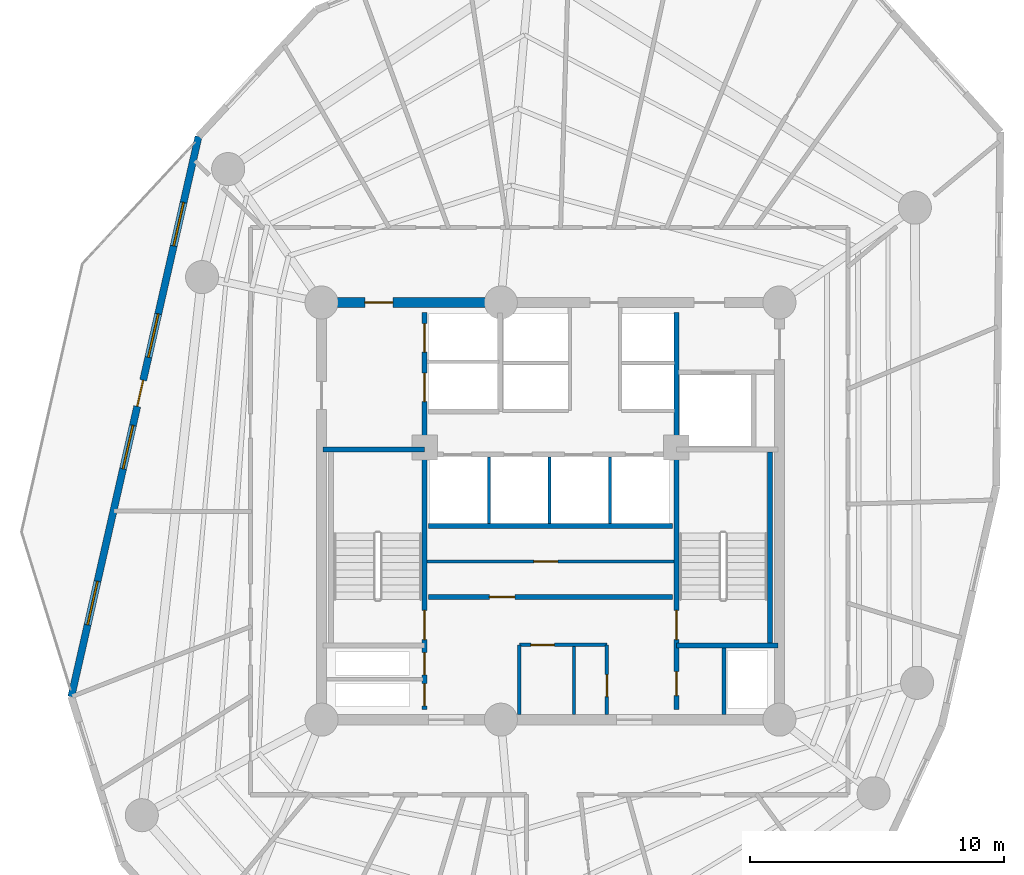
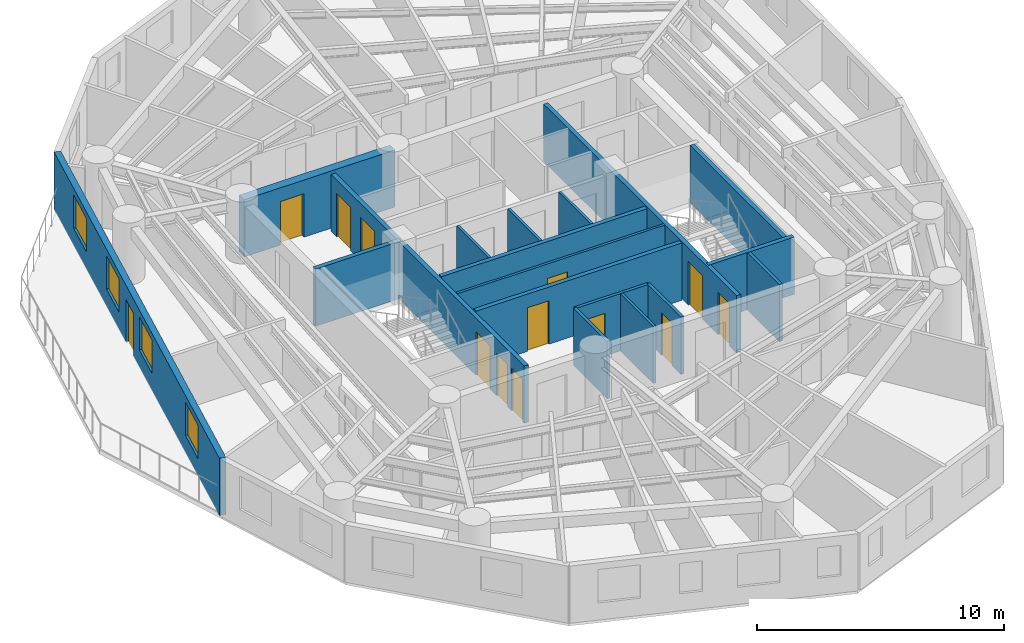
# One storey, part 4 of 9: 18 walls, 13 doors, 4 windows, 17 openings.
"""IFC4 building model written with IfcOpenShell, lengths in metres."""

from ifc_helpers import new_model, si_unit, direction, frame, frame_2d, origin, origin_with_axes, place, context, subcontext, project, spatial, rectangle, extrude, source, transform, mapped, material, layer, layer_set, type_object, element, fill, save


model = new_model("IFC4")

# Units and contexts
model_context = context("Model", 3, precision=1e-05, world=origin(), true_north=direction((0.0, 1.0)))
body_context = subcontext(model_context, "Body", "Model", "MODEL_VIEW")
ifc_project = project(units=[si_unit("LENGTHUNIT", "METRE"), si_unit("AREAUNIT", "SQUARE_METRE"), si_unit("VOLUMEUNIT", "CUBIC_METRE"), si_unit("PLANEANGLEUNIT", "RADIAN"), si_unit("MASSUNIT", "GRAM", prefix="KILO")], contexts=[model_context])

# Site, building, storey
site_placement = place(None, origin())
site = spatial("IfcSite", under=ifc_project, at=site_placement, CompositionType="ELEMENT")
building_placement = place(site_placement, origin())
building = spatial("IfcBuilding", under=site, at=building_placement, Name="Karkom Vertical University and Central Library", CompositionType="ELEMENT")
storey_placement = place(building_placement, frame((0.0, 0.0, 156.550048828125)))
storey = spatial("IfcBuildingStorey", under=building, at=storey_placement, Name="L44", CompositionType="ELEMENT", Elevation=156.550048828125)

# Wall, openings, door, windows
ifc_material_1 = material(Name="Brick-faced precast concrete C45/55", Category="masonry")
ifc_layer_1 = layer(ifc_material_1, 0.280029296875)
ifc_layer_set_1 = layer_set([ifc_layer_1], Name="Brick-faced precast concrete C45/55")
wall_type_1 = type_object("IfcWallType", Name="ENV-WL-BRK-280", PredefinedType="SOLIDWALL", material=ifc_layer_set_1)
wall_1_placement = place(storey_placement, frame((14.666015625, 41.223388671875, 0.0), z_axis=(0.0, 0.0, 1.0), x_axis=(-0.221558962352, -0.975146976718, 0.0)))
wall_1 = element("IfcWall", 1, at=wall_1_placement, inside=storey, type_object=wall_type_1, Name="Level 44 Brick-Faced Precast Facade Wall 12", PredefinedType="SOLIDWALL", context=body_context, shape_type="SweptSolid", body=[
    extrude(rectangle(XDim=22.5849609375, YDim=0.280029296875, at=frame_2d((11.29248046875, 0.0))), origin(), (0.0, 0.0, 1.0), 2.824951171875),
])
opening_1_placement = place(wall_1_placement, frame((2.656005859375, 0.0, 0.85009765625)))
opening_1 = element("IfcOpeningElement", 2, at=opening_1_placement, cuts=wall_1, Name="Opening WN-08", PredefinedType="OPENING", context=body_context, shape_type="SweptSolid", body=[
    extrude(rectangle(XDim=1.75, YDim=1.64990234375, at=frame_2d((0.875, 0.824951171875))), frame((0.0, 0.14990234375, 0.0), z_axis=(0.0, -1.0, 0.0), x_axis=(1.0, 0.0, 0.0)), (0.0, 0.0, 1.0), 0.300048828125),
])
opening_2_placement = place(wall_1_placement, frame((7.149658203125, 0.0, 0.85009765625)))
opening_2 = element("IfcOpeningElement", 3, at=opening_2_placement, cuts=wall_1, Name="Opening WN-08", PredefinedType="OPENING", context=body_context, shape_type="SweptSolid", body=[
    extrude(rectangle(XDim=1.75, YDim=1.64990234375, at=frame_2d((0.875, 0.824951171875))), frame((0.0, 0.14990234375, 0.0), z_axis=(0.0, -1.0, 0.0), x_axis=(1.0, 0.0, 0.0)), (0.0, 0.0, 1.0), 0.300048828125),
])
opening_3_placement = place(wall_1_placement, frame((11.643310546875, 0.0, 0.85009765625)))
opening_3 = element("IfcOpeningElement", 4, at=opening_3_placement, cuts=wall_1, Name="Opening WN-08", PredefinedType="OPENING", context=body_context, shape_type="SweptSolid", body=[
    extrude(rectangle(XDim=1.75, YDim=1.64990234375, at=frame_2d((0.875, 0.824951171875))), frame((0.0, 0.14990234375, 0.0), z_axis=(0.0, -1.0, 0.0), x_axis=(1.0, 0.0, 0.0)), (0.0, 0.0, 1.0), 0.300048828125),
])
opening_4_placement = place(wall_1_placement, frame((17.929931640625, 0.0, 0.85009765625)))
opening_4 = element("IfcOpeningElement", 5, at=opening_4_placement, cuts=wall_1, Name="Opening WN-08", PredefinedType="OPENING", context=body_context, shape_type="SweptSolid", body=[
    extrude(rectangle(XDim=1.75, YDim=1.64990234375, at=frame_2d((0.875, 0.824951171875))), frame((0.0, 0.14990234375, 0.0), z_axis=(0.0, -1.0, 0.0), x_axis=(1.0, 0.0, 0.0)), (0.0, 0.0, 1.0), 0.300048828125),
])
opening_5_placement = place(wall_1_placement, frame((9.826416015625, 0.0, 0.0)))
opening_5 = element("IfcOpeningElement", 6, at=opening_5_placement, cuts=wall_1, Name="Opening TD-1", PredefinedType="OPENING", context=body_context, shape_type="SweptSolid", body=[
    extrude(rectangle(XDim=1.050048828125, YDim=2.1201171875, at=frame_2d((0.52490234375, 1.06005859375))), frame((0.0, 0.14990234375, 0.0), z_axis=(0.0, -1.0, 0.0), x_axis=(1.0, 0.0, 0.0)), (0.0, 0.0, 1.0), 0.300048828125),
])
ifc_material_2 = material(Name="Thermally broken glazed aluminium terrace door", Category="aluminium")
door_type_1 = type_object("IfcDoorType", Name="ENV-DR-TERR", OperationType="NOTDEFINED", PredefinedType="DOOR", material=ifc_material_2)
shared_shape_1 = source(origin_with_axes(), body_context, "Body", "SweptSolid", [
    extrude(rectangle(XDim=1.050048828125, YDim=2.1201171875, at=frame_2d((0.52490234375, 1.06005859375))), frame((0.0, 0.02490234375, 0.0), z_axis=(0.0, -1.0, 0.0), x_axis=(1.0, 0.0, 0.0)), (0.0, 0.0, 1.0), 0.050048828125),
])
door_1_placement = place(opening_5_placement, origin())
door_1 = element("IfcDoor", 7, at=door_1_placement, inside=storey, type_object=door_type_1, Name="Level 44 Outdoor Terrace Access Door", OperationType="SINGLE_SWING_RIGHT", OverallHeight=2.1201171875, OverallWidth=1.050048828125, PredefinedType="DOOR", context=body_context, shape_type="MappedRepresentation", body=[
    mapped(shared_shape_1, transform((0.0, 0.0, 0.0), scale=1.0)),
])
fill(opening_5, door_1)
ifc_material_3 = material(Name="Aluminium thermal-break frame with solar-control IGU", Category="aluminium")
window_type = type_object("IfcWindowType", Name="ENV-WIN-WN-08", PartitioningType="SINGLE_PANEL", PredefinedType="WINDOW", material=ifc_material_3)
shared_shape_2 = source(origin_with_axes(), body_context, "Body", "SweptSolid", [
    extrude(rectangle(XDim=1.75, YDim=1.64990234375, at=frame_2d((0.875, 0.824951171875))), frame((0.0, 0.030029296875, 0.0), z_axis=(0.0, -1.0, 0.0), x_axis=(1.0, 0.0, 0.0)), (0.0, 0.0, 1.0), 0.06005859375),
])
window_1_placement = place(opening_1_placement, origin())
window_1 = element("IfcWindow", 8, at=window_1_placement, inside=storey, type_object=window_type, Name="Level 44 Punched Window 12.1", OverallHeight=1.64990234375, OverallWidth=1.75, PartitioningType="SINGLE_PANEL", PredefinedType="WINDOW", context=body_context, shape_type="MappedRepresentation", body=[
    mapped(shared_shape_2, transform((0.0, 0.0, 0.0), scale=1.0)),
])
fill(opening_1, window_1)
window_2_placement = place(opening_2_placement, origin())
window_2 = element("IfcWindow", 9, at=window_2_placement, inside=storey, type_object=window_type, Name="Level 44 Punched Window 12.2", OverallHeight=1.64990234375, OverallWidth=1.75, PartitioningType="SINGLE_PANEL", PredefinedType="WINDOW", context=body_context, shape_type="MappedRepresentation", body=[
    mapped(shared_shape_2, transform((0.0, 0.0, 0.0), scale=1.0)),
])
fill(opening_2, window_2)
window_3_placement = place(opening_3_placement, origin())
window_3 = element("IfcWindow", 10, at=window_3_placement, inside=storey, type_object=window_type, Name="Level 44 Punched Window 12.3", OverallHeight=1.64990234375, OverallWidth=1.75, PartitioningType="SINGLE_PANEL", PredefinedType="WINDOW", context=body_context, shape_type="MappedRepresentation", body=[
    mapped(shared_shape_2, transform((0.0, 0.0, 0.0), scale=1.0)),
])
fill(opening_3, window_3)
window_4_placement = place(opening_4_placement, origin())
window_4 = element("IfcWindow", 11, at=window_4_placement, inside=storey, type_object=window_type, Name="Level 44 Punched Window 12.4", OverallHeight=1.64990234375, OverallWidth=1.75, PartitioningType="SINGLE_PANEL", PredefinedType="WINDOW", context=body_context, shape_type="MappedRepresentation", body=[
    mapped(shared_shape_2, transform((0.0, 0.0, 0.0), scale=1.0)),
])
fill(opening_4, window_4)

# Wall
ifc_material_4 = material(Name="Moisture-resistant drywall 120mm", Category="gypsum")
ifc_layer_2 = layer(ifc_material_4, 0.1201171875)
ifc_layer_set_2 = layer_set([ifc_layer_2], Name="Moisture-resistant drywall 120mm")
wall_type_2 = type_object("IfcWallType", Name="INT-WL-INT-120", PredefinedType="PARTITIONING", material=ifc_layer_set_2)
wall_2_placement = place(storey_placement, frame((29.419921875, 18.507080078125, 0.0), z_axis=(0.0, 0.0, 1.0), x_axis=(0.0, 1.0, 0.0)))
element("IfcWall", 12, at=wall_2_placement, inside=storey, type_object=wall_type_2, Name="Level 44 Interior Partition Wall L44-CW-K3-DIV", PredefinedType="PARTITIONING", context=body_context, shape_type="SweptSolid", body=[
    extrude(rectangle(XDim=2.66162109375, YDim=0.1201171875, at=frame_2d((1.330810546875, 0.0))), origin(), (0.0, 0.0, 1.0), 2.824951171875),
])

# Wall, opening, door
ifc_layer_3 = layer(ifc_material_4, 0.1201171875)
ifc_layer_set_3 = layer_set([ifc_layer_3], Name="Moisture-resistant drywall 120mm")
wall_type_3 = type_object("IfcWallType", Name="INT-WL-INT-120F", PredefinedType="PARTITIONING", material=ifc_layer_set_3)
wall_3_placement = place(storey_placement, frame((23.652099609375, 24.52001953125, 0.0), z_axis=(0.0, 0.0, 1.0), x_axis=(1.0, 0.0, 0.0)))
wall_3 = element("IfcWall", 13, at=wall_3_placement, inside=storey, type_object=wall_type_3, Name="Level 44 Interior Partition Wall L44-CW-B1-K3H", PredefinedType="PARTITIONING", context=body_context, shape_type="SweptSolid", body=[
    extrude(rectangle(XDim=9.697509765625, YDim=0.1201171875, at=frame_2d((4.8486328125, 0.0))), origin(), (0.0, 0.0, 1.0), 2.824951171875),
])
opening_6_placement = place(wall_3_placement, frame((4.199951171875, 0.0, 0.0)))
opening_6 = element("IfcOpeningElement", 14, at=opening_6_placement, cuts=wall_3, Name="Opening D-WC1", PredefinedType="OPENING", context=body_context, shape_type="SweptSolid", body=[
    extrude(rectangle(XDim=0.93994140625, YDim=2.10009765625, at=frame_2d((0.469970703125, 1.050048828125))), frame((0.0, 0.070068359375, 0.0), z_axis=(0.0, -1.0, 0.0), x_axis=(1.0, 0.0, 0.0)), (0.0, 0.0, 1.0), 0.14013671875),
])
ifc_material_5 = material(Name="Fire-rated laminate moisture-resistant door", Category="wood")
door_type_2 = type_object("IfcDoorType", Name="INT-DR-WC1", OperationType="NOTDEFINED", PredefinedType="DOOR", material=ifc_material_5)
shared_shape_3 = source(origin_with_axes(), body_context, "Body", "SweptSolid", [
    extrude(rectangle(XDim=0.93994140625, YDim=2.10009765625, at=frame_2d((0.469970703125, 1.050048828125))), frame((0.0, 0.02490234375, 0.0), z_axis=(0.0, -1.0, 0.0), x_axis=(1.0, 0.0, 0.0)), (0.0, 0.0, 1.0), 0.050048828125),
])
door_2_placement = place(opening_6_placement, origin())
door_2 = element("IfcDoor", 15, at=door_2_placement, inside=storey, type_object=door_type_2, Name="Level 44 B1 Core WC Strip Door", OperationType="SINGLE_SWING_LEFT", OverallHeight=2.10009765625, OverallWidth=0.93994140625, PredefinedType="DOOR", context=body_context, shape_type="MappedRepresentation", body=[
    mapped(shared_shape_3, transform((0.0, 0.0, 0.0), scale=1.0)),
])
fill(opening_6, door_2)

# Walls
ifc_layer_4 = layer(ifc_material_4, 0.1201171875)
ifc_layer_set_4 = layer_set([ifc_layer_4], Name="Moisture-resistant drywall 120mm")
wall_type_4 = type_object("IfcWallType", Name="INT-WL-INT-120H", PredefinedType="PARTITIONING", material=ifc_layer_set_4)
for number, where, z_axis, x_axis, name in (
    (16, (26.080078125, 26.02001953125, 0.0), (0.0, 0.0, 1.0), (0.0, 1.0, 0.0), "Level 44 Interior Partition Wall L44-CW-PM-DIV1"),
    (17, (28.4599609375, 26.02001953125, 0.0), (0.0, 0.0, 1.0), (0.0, 1.0, 0.0), "Level 44 Interior Partition Wall L44-CW-PM-DIV2"),
    (18, (30.840087890625, 26.02001953125, 0.0), (0.0, 0.0, 1.0), (0.0, 1.0, 0.0), "Level 44 Interior Partition Wall L44-CW-PM-DIV3"),
):
    element("IfcWall", number, at=place(storey_placement, frame(where, z_axis=z_axis, x_axis=x_axis)), inside=storey, type_object=wall_type_4, Name=name, PredefinedType="PARTITIONING", context=body_context, shape_type="SweptSolid", body=[
        extrude(rectangle(XDim=2.60009765625, YDim=0.1201171875, at=frame_2d((1.300048828125, 0.0))), origin(), (0.0, 0.0, 1.0), 2.824951171875),
    ])

# Wall, opening, door
ifc_material_6 = material(Name="Metal-stud gypsum partition 140mm", Category="gypsum")
ifc_layer_5 = layer(ifc_material_6, 0.139892578125)
ifc_layer_set_5 = layer_set([ifc_layer_5], Name="Metal-stud gypsum partition 140mm")
wall_type_5 = type_object("IfcWallType", Name="INT-WL-SUB-140", PredefinedType="PARTITIONING", material=ifc_layer_set_5)
wall_4_placement = place(storey_placement, frame((27.280029296875, 21.239990234375, 0.0), z_axis=(0.0, 0.0, 1.0), x_axis=(1.0, 0.0, 0.0)))
wall_4 = element("IfcWall", 19, at=wall_4_placement, inside=storey, type_object=wall_type_5, Name="Level 44 Interior Partition Wall L44-CW-KBAY-N", PredefinedType="PARTITIONING", context=body_context, shape_type="SweptSolid", body=[
    extrude(rectangle(XDim=3.43994140625, YDim=0.139892578125, at=frame_2d((1.719970703125, 0.0))), origin(), (0.0, 0.0, 1.0), 2.824951171875),
])
opening_7_placement = place(wall_4_placement, frame((0.449951171875, 0.0, 0.0)))
opening_7 = element("IfcOpeningElement", 20, at=opening_7_placement, cuts=wall_4, Name="Opening D-SVC1", PredefinedType="OPENING", context=body_context, shape_type="SweptSolid", body=[
    extrude(rectangle(XDim=0.919921875, YDim=2.10009765625, at=frame_2d((0.4599609375, 1.050048828125))), frame((0.0, 0.080078125, 0.0), z_axis=(0.0, -1.0, 0.0), x_axis=(1.0, 0.0, 0.0)), (0.0, 0.0, 1.0), 0.159912109375),
])
ifc_material_7 = material(Name="Painted timber service door", Category="wood")
door_type_3 = type_object("IfcDoorType", Name="INT-DR-SVC1", OperationType="NOTDEFINED", PredefinedType="DOOR", material=ifc_material_7)
shared_shape_4 = source(origin_with_axes(), body_context, "Body", "SweptSolid", [
    extrude(rectangle(XDim=0.919921875, YDim=2.10009765625, at=frame_2d((0.4599609375, 1.050048828125))), frame((0.0, 0.02490234375, 0.0), z_axis=(0.0, -1.0, 0.0), x_axis=(1.0, 0.0, 0.0)), (0.0, 0.0, 1.0), 0.050048828125),
])
door_3_placement = place(opening_7_placement, origin())
door_3 = element("IfcDoor", 21, at=door_3_placement, inside=storey, type_object=door_type_3, Name="Level 44 Copy Room Door", OperationType="SINGLE_SWING_RIGHT", OverallHeight=2.10009765625, OverallWidth=0.919921875, PredefinedType="DOOR", context=body_context, shape_type="MappedRepresentation", body=[
    mapped(shared_shape_4, transform((0.0, 0.0, 0.0), scale=1.0)),
])
fill(opening_7, door_3)

# Wall
wall_5_placement = place(storey_placement, frame((27.280029296875, 18.507080078125, 0.0), z_axis=(0.0, 0.0, 1.0), x_axis=(0.0, 1.0, 0.0)))
element("IfcWall", 22, at=wall_5_placement, inside=storey, type_object=wall_type_5, Name="Level 44 Interior Partition Wall L44-CW-KBAY-W", PredefinedType="PARTITIONING", context=body_context, shape_type="SweptSolid", body=[
    extrude(rectangle(XDim=2.73291015625, YDim=0.139892578125, at=frame_2d((1.366455078125, 0.0))), origin(), (0.0, 0.0, 1.0), 2.824951171875),
])

# Wall, opening, door
wall_6_placement = place(storey_placement, frame((30.719970703125, 18.507080078125, 0.0), z_axis=(0.0, 0.0, 1.0), x_axis=(0.0, 1.0, 0.0)))
wall_6 = element("IfcWall", 23, at=wall_6_placement, inside=storey, type_object=wall_type_5, Name="Level 44 Interior Partition Wall L44-CW-KBAY-E", PredefinedType="PARTITIONING", context=body_context, shape_type="SweptSolid", body=[
    extrude(rectangle(XDim=2.73291015625, YDim=0.139892578125, at=frame_2d((1.366455078125, 0.0))), origin(), (0.0, 0.0, 1.0), 2.824951171875),
])
opening_8_placement = place(wall_6_placement, frame((0.699951171875, 0.0, 0.0)))
opening_8 = element("IfcOpeningElement", 24, at=opening_8_placement, cuts=wall_6, Name="Opening D-BATH", PredefinedType="OPENING", context=body_context, shape_type="SweptSolid", body=[
    extrude(rectangle(XDim=0.860107421875, YDim=2.10009765625, at=frame_2d((0.43017578125, 1.050048828125))), frame((0.0, 0.080078125, 0.0), z_axis=(0.0, -1.0, 0.0), x_axis=(1.0, 0.0, 0.0)), (0.0, 0.0, 1.0), 0.159912109375),
])
ifc_material_8 = material(Name="Moisture-resistant oak door", Category="wood")
door_type_4 = type_object("IfcDoorType", Name="INT-DR-BATH", OperationType="NOTDEFINED", PredefinedType="DOOR", material=ifc_material_8)
shared_shape_5 = source(origin_with_axes(), body_context, "Body", "SweptSolid", [
    extrude(rectangle(XDim=0.860107421875, YDim=2.10009765625, at=frame_2d((0.43017578125, 1.050048828125))), frame((0.0, 0.02490234375, 0.0), z_axis=(0.0, -1.0, 0.0), x_axis=(1.0, 0.0, 0.0)), (0.0, 0.0, 1.0), 0.050048828125),
])
door_4_placement = place(opening_8_placement, origin())
door_4 = element("IfcDoor", 25, at=door_4_placement, inside=storey, type_object=door_type_4, Name="Level 44 Janitor Door", OperationType="SINGLE_SWING_LEFT", OverallHeight=2.10009765625, OverallWidth=0.860107421875, PredefinedType="DOOR", context=body_context, shape_type="MappedRepresentation", body=[
    mapped(shared_shape_5, transform((0.0, 0.0, 0.0), scale=1.0)),
])
fill(opening_8, door_4)

# Wall
ifc_layer_6 = layer(ifc_material_6, 0.139892578125)
ifc_layer_set_6 = layer_set([ifc_layer_6], Name="Metal-stud gypsum partition 140mm")
wall_type_6 = type_object("IfcWallType", Name="INT-WL-SUB-140H", PredefinedType="PARTITIONING", material=ifc_layer_set_6)
wall_7_placement = place(storey_placement, frame((35.320068359375, 18.507080078125, 0.0), z_axis=(0.0, 0.0, 1.0), x_axis=(0.0, 1.0, 0.0)))
element("IfcWall", 26, at=wall_7_placement, inside=storey, type_object=wall_type_6, Name="Level 44 Interior Partition Wall L44-CW-RIS-E", PredefinedType="PARTITIONING", context=body_context, shape_type="SweptSolid", body=[
    extrude(rectangle(XDim=2.603759765625, YDim=0.139892578125, at=frame_2d((1.3017578125, 0.0))), origin(), (0.0, 0.0, 1.0), 2.824951171875),
])

# Wall, opening, door
ifc_material_9 = material(Name="Concrete C50/60", Category="concrete")
ifc_layer_7 = layer(ifc_material_9, 0.39990234375)
ifc_layer_set_7 = layer_set([ifc_layer_7], Name="Concrete C50/60")
wall_type_7 = type_object("IfcWallType", Name="STR-WL-CW-400", PredefinedType="SHEAR", material=ifc_layer_set_7)
wall_8_placement = place(storey_placement, frame((26.550048828125, 34.699951171875, 0.0), z_axis=(0.0, 0.0, 1.0), x_axis=(-1.0, 0.0, 0.0)))
wall_8 = element("IfcWall", 27, at=wall_8_placement, inside=storey, type_object=wall_type_7, Name="Level 44 Central Core Shear Wall NW2", PredefinedType="SHEAR", context=body_context, shape_type="SweptSolid", body=[
    extrude(rectangle(XDim=7.050048828125, YDim=0.39990234375, at=frame_2d((3.52490234375, 0.0))), origin(), (0.0, 0.0, 1.0), 2.824951171875),
])
opening_9_placement = place(wall_8_placement, frame((4.25, 0.0, 0.0)))
opening_9 = element("IfcOpeningElement", 28, at=opening_9_placement, cuts=wall_8, Name="Opening FD-FFL", PredefinedType="OPENING", context=body_context, shape_type="SweptSolid", body=[
    extrude(rectangle(XDim=1.10009765625, YDim=2.14990234375, at=frame_2d((0.550048828125, 1.074951171875))), frame((0.0, 0.2099609375, 0.0), z_axis=(0.0, -1.0, 0.0), x_axis=(1.0, 0.0, 0.0)), (0.0, 0.0, 1.0), 0.419921875),
])
ifc_material_10 = material(Name="Painted steel smoke-seal fire door", Category="steel")
door_type_5 = type_object("IfcDoorType", Name="INT-DR-FFL", OperationType="NOTDEFINED", PredefinedType="DOOR", material=ifc_material_10)
shared_shape_6 = source(origin_with_axes(), body_context, "Body", "SweptSolid", [
    extrude(rectangle(XDim=1.10009765625, YDim=2.14990234375, at=frame_2d((0.550048828125, 1.074951171875))), frame((0.0, 0.02490234375, 0.0), z_axis=(0.0, -1.0, 0.0), x_axis=(1.0, 0.0, 0.0)), (0.0, 0.0, 1.0), 0.050048828125),
])
door_5_placement = place(opening_9_placement, origin())
door_5 = element("IfcDoor", 29, at=door_5_placement, inside=storey, type_object=door_type_5, Name="Level 44 Firefighting Lobby Door", OperationType="SINGLE_SWING_LEFT", OverallHeight=2.14990234375, OverallWidth=1.10009765625, PredefinedType="DOOR", context=body_context, shape_type="MappedRepresentation", body=[
    mapped(shared_shape_6, transform((0.0, 0.0, 0.0), scale=1.0)),
])
fill(opening_9, door_5)

# Wall, openings, doors
ifc_material_11 = material(Name="Concrete C45/55", Category="concrete")
ifc_layer_8 = layer(ifc_material_11, 0.199951171875)
ifc_layer_set_8 = layer_set([ifc_layer_8], Name="Concrete C45/55")
wall_type_8 = type_object("IfcWallType", Name="STR-WL-ST-200", PredefinedType="SHEAR", material=ifc_layer_set_8)
wall_9_placement = place(storey_placement, frame((23.544921875, 18.699951171875, 0.0), z_axis=(0.0, 0.0, 1.0), x_axis=(0.0, 1.0, 0.0)))
wall_9 = element("IfcWall", 30, at=wall_9_placement, inside=storey, type_object=wall_type_8, Name="Level 44 Core Shaft Wall L44-CW-ST1-E", PredefinedType="SHEAR", context=body_context, shape_type="SweptSolid", body=[
    extrude(rectangle(XDim=15.60009765625, YDim=0.199951171875, at=frame_2d((7.800048828125, 0.0))), origin(), (0.0, 0.0, 1.0), 2.824951171875),
])
opening_10_placement = place(wall_9_placement, frame((2.75, 0.0, 0.0)))
opening_10 = element("IfcOpeningElement", 31, at=opening_10_placement, cuts=wall_9, Name="Opening FD-ST1", PredefinedType="OPENING", context=body_context, shape_type="SweptSolid", body=[
    extrude(rectangle(XDim=1.14990234375, YDim=2.14990234375, at=frame_2d((0.574951171875, 1.074951171875))), frame((0.0, 0.10986328125, 0.0), z_axis=(0.0, -1.0, 0.0), x_axis=(1.0, 0.0, 0.0)), (0.0, 0.0, 1.0), 0.219970703125),
])
opening_11_placement = place(wall_9_placement, frame((0.139892578125, 0.0, 0.0)))
opening_11 = element("IfcOpeningElement", 32, at=opening_11_placement, cuts=wall_9, Name="Opening FD-RIS", PredefinedType="OPENING", context=body_context, shape_type="SweptSolid", body=[
    extrude(rectangle(XDim=0.8798828125, YDim=2.10009765625, at=frame_2d((0.43994140625, 1.050048828125))), frame((0.0, 0.10986328125, 0.0), z_axis=(0.0, -1.0, 0.0), x_axis=(1.0, 0.0, 0.0)), (0.0, 0.0, 1.0), 0.219970703125),
])
opening_12_placement = place(wall_9_placement, frame((1.360107421875, 0.0, 0.0)))
opening_12 = element("IfcOpeningElement", 33, at=opening_12_placement, cuts=wall_9, Name="Opening FD-RIS", PredefinedType="OPENING", context=body_context, shape_type="SweptSolid", body=[
    extrude(rectangle(XDim=0.8798828125, YDim=2.10009765625, at=frame_2d((0.43994140625, 1.050048828125))), frame((0.0, 0.10986328125, 0.0), z_axis=(0.0, -1.0, 0.0), x_axis=(1.0, 0.0, 0.0)), (0.0, 0.0, 1.0), 0.219970703125),
])
opening_13_placement = place(wall_9_placement, frame((12.10009765625, 0.0, 0.0)))
opening_13 = element("IfcOpeningElement", 34, at=opening_13_placement, cuts=wall_9, Name="Opening LD-FFL", PredefinedType="OPENING", context=body_context, shape_type="SweptSolid", body=[
    extrude(rectangle(XDim=1.1201171875, YDim=2.14990234375, at=frame_2d((0.56005859375, 1.074951171875))), frame((0.0, 0.10986328125, 0.0), z_axis=(0.0, -1.0, 0.0), x_axis=(1.0, 0.0, 0.0)), (0.0, 0.0, 1.0), 0.219970703125),
])
opening_14_placement = place(wall_9_placement, frame((14.050048828125, 0.0, 0.0)))
opening_14 = element("IfcOpeningElement", 35, at=opening_14_placement, cuts=wall_9, Name="Opening LD-FFL", PredefinedType="OPENING", context=body_context, shape_type="SweptSolid", body=[
    extrude(rectangle(XDim=1.1201171875, YDim=2.14990234375, at=frame_2d((0.56005859375, 1.074951171875))), frame((0.0, 0.10986328125, 0.0), z_axis=(0.0, -1.0, 0.0), x_axis=(1.0, 0.0, 0.0)), (0.0, 0.0, 1.0), 0.219970703125),
])
ifc_material_12 = material(Name="Painted steel acoustic fire door", Category="steel")
door_type_6 = type_object("IfcDoorType", Name="INT-DR-ST1", OperationType="NOTDEFINED", PredefinedType="DOOR", material=ifc_material_12)
shared_shape_7 = source(origin_with_axes(), body_context, "Body", "SweptSolid", [
    extrude(rectangle(XDim=1.14990234375, YDim=2.14990234375, at=frame_2d((0.574951171875, 1.074951171875))), frame((0.0, 0.02490234375, 0.0), z_axis=(0.0, -1.0, 0.0), x_axis=(1.0, 0.0, 0.0)), (0.0, 0.0, 1.0), 0.050048828125),
])
door_6_placement = place(opening_10_placement, origin())
door_6 = element("IfcDoor", 36, at=door_6_placement, inside=storey, type_object=door_type_6, Name="Level 44 Stair ST-1 Fire Door", OperationType="SINGLE_SWING_LEFT", OverallHeight=2.14990234375, OverallWidth=1.14990234375, PredefinedType="DOOR", context=body_context, shape_type="MappedRepresentation", body=[
    mapped(shared_shape_7, transform((0.0, 0.0, 0.0), scale=1.0)),
])
fill(opening_10, door_6)
ifc_material_13 = material(Name="Painted steel riser access door", Category="steel")
door_type_7 = type_object("IfcDoorType", Name="INT-DR-RIS", OperationType="NOTDEFINED", PredefinedType="DOOR", material=ifc_material_13)
shared_shape_8 = source(origin_with_axes(), body_context, "Body", "SweptSolid", [
    extrude(rectangle(XDim=0.8798828125, YDim=2.10009765625, at=frame_2d((0.43994140625, 1.050048828125))), frame((0.0, 0.02490234375, 0.0), z_axis=(0.0, -1.0, 0.0), x_axis=(1.0, 0.0, 0.0)), (0.0, 0.0, 1.0), 0.050048828125),
])
door_7_placement = place(opening_11_placement, origin())
door_7 = element("IfcDoor", 37, at=door_7_placement, inside=storey, type_object=door_type_7, Name="Level 44 Electrical Riser Access Door", OperationType="SINGLE_SWING_LEFT", OverallHeight=2.10009765625, OverallWidth=0.8798828125, PredefinedType="DOOR", context=body_context, shape_type="MappedRepresentation", body=[
    mapped(shared_shape_8, transform((0.0, 0.0, 0.0), scale=1.0)),
])
fill(opening_11, door_7)
door_8_placement = place(opening_12_placement, origin())
door_8 = element("IfcDoor", 38, at=door_8_placement, inside=storey, type_object=door_type_7, Name="Level 44 Telecom Riser Access Door", OperationType="SINGLE_SWING_RIGHT", OverallHeight=2.10009765625, OverallWidth=0.8798828125, PredefinedType="DOOR", context=body_context, shape_type="MappedRepresentation", body=[
    mapped(shared_shape_8, transform((0.0, 0.0, 0.0), scale=1.0)),
])
fill(opening_12, door_8)
ifc_material_14 = material(Name="Fire-rated stainless-steel landing door", Category="steel")
door_type_8 = type_object("IfcDoorType", Name="INT-DR-LD-FFL", OperationType="SLIDING_TO_LEFT", PredefinedType="DOOR", material=ifc_material_14)
shared_shape_9 = source(origin_with_axes(), body_context, "Body", "SweptSolid", [
    extrude(rectangle(XDim=1.1201171875, YDim=2.14990234375, at=frame_2d((0.56005859375, 1.074951171875))), frame((0.0, 0.02490234375, 0.0), z_axis=(0.0, -1.0, 0.0), x_axis=(1.0, 0.0, 0.0)), (0.0, 0.0, 1.0), 0.050048828125),
])
door_9_placement = place(opening_13_placement, origin())
door_9 = element("IfcDoor", 39, at=door_9_placement, inside=storey, type_object=door_type_8, Name="Level 44 Firefighting Lift FFL-1 Landing Door", OperationType="SLIDING_TO_LEFT", OverallHeight=2.14990234375, OverallWidth=1.1201171875, PredefinedType="DOOR", context=body_context, shape_type="MappedRepresentation", body=[
    mapped(shared_shape_9, transform((0.0, 0.0, 0.0), scale=1.0)),
])
fill(opening_13, door_9)
door_10_placement = place(opening_14_placement, origin())
door_10 = element("IfcDoor", 40, at=door_10_placement, inside=storey, type_object=door_type_8, Name="Level 44 Firefighting Lift FFL-2 Landing Door", OperationType="SLIDING_TO_RIGHT", OverallHeight=2.14990234375, OverallWidth=1.1201171875, PredefinedType="DOOR", context=body_context, shape_type="MappedRepresentation", body=[
    mapped(shared_shape_9, transform((0.0, 0.0, 0.0), scale=1.0)),
])
fill(opening_14, door_10)

wall_10_placement = place(storey_placement, frame((33.455078125, 18.699951171875, 0.0), z_axis=(0.0, 0.0, 1.0), x_axis=(0.0, 1.0, 0.0)))
wall_10 = element("IfcWall", 41, at=wall_10_placement, inside=storey, type_object=wall_type_8, Name="Level 44 Core Shaft Wall L44-CW-ST2-W", PredefinedType="SHEAR", context=body_context, shape_type="SweptSolid", body=[
    extrude(rectangle(XDim=15.60009765625, YDim=0.199951171875, at=frame_2d((7.800048828125, 0.0))), origin(), (0.0, 0.0, 1.0), 2.824951171875),
])
opening_15_placement = place(wall_10_placement, frame((2.75, 0.0, 0.0)))
opening_15 = element("IfcOpeningElement", 42, at=opening_15_placement, cuts=wall_10, Name="Opening FD-ST1", PredefinedType="OPENING", context=body_context, shape_type="SweptSolid", body=[
    extrude(rectangle(XDim=1.14990234375, YDim=2.14990234375, at=frame_2d((0.574951171875, 1.074951171875))), frame((0.0, 0.10986328125, 0.0), z_axis=(0.0, -1.0, 0.0), x_axis=(1.0, 0.0, 0.0)), (0.0, 0.0, 1.0), 0.219970703125),
])
opening_16_placement = place(wall_10_placement, frame((0.550048828125, 0.0, 0.0)))
opening_16 = element("IfcOpeningElement", 43, at=opening_16_placement, cuts=wall_10, Name="Opening D-WC1", PredefinedType="OPENING", context=body_context, shape_type="SweptSolid", body=[
    extrude(rectangle(XDim=0.93994140625, YDim=2.10009765625, at=frame_2d((0.469970703125, 1.050048828125))), frame((0.0, 0.10986328125, 0.0), z_axis=(0.0, -1.0, 0.0), x_axis=(1.0, 0.0, 0.0)), (0.0, 0.0, 1.0), 0.219970703125),
])
door_11_placement = place(opening_15_placement, origin())
door_11 = element("IfcDoor", 44, at=door_11_placement, inside=storey, type_object=door_type_6, Name="Level 44 Stair ST-2 Fire Door", OperationType="SINGLE_SWING_RIGHT", OverallHeight=2.14990234375, OverallWidth=1.14990234375, PredefinedType="DOOR", context=body_context, shape_type="MappedRepresentation", body=[
    mapped(shared_shape_7, transform((0.0, 0.0, 0.0), scale=1.0)),
])
fill(opening_15, door_11)
door_12_placement = place(opening_16_placement, origin())
door_12 = element("IfcDoor", 45, at=door_12_placement, inside=storey, type_object=door_type_2, Name="Level 44 Accessible WC Door", OperationType="SINGLE_SWING_LEFT", OverallHeight=2.10009765625, OverallWidth=0.93994140625, PredefinedType="DOOR", context=body_context, shape_type="MappedRepresentation", body=[
    mapped(shared_shape_3, transform((0.0, 0.0, 0.0), scale=1.0)),
])
fill(opening_16, door_12)

# Wall, opening, door
wall_11_placement = place(storey_placement, frame((23.699951171875, 23.1201171875, 0.0), z_axis=(0.0, 0.0, 1.0), x_axis=(1.0, 0.0, 0.0)))
wall_11 = element("IfcWall", 46, at=wall_11_placement, inside=storey, type_object=wall_type_8, Name="Level 44 Core Shaft Wall L44-CW-B1-S", PredefinedType="SHEAR", context=body_context, shape_type="SweptSolid", body=[
    extrude(rectangle(XDim=9.60009765625, YDim=0.199951171875, at=frame_2d((4.800048828125, 0.0))), origin(), (0.0, 0.0, 1.0), 2.824951171875),
])
opening_17_placement = place(wall_11_placement, frame((2.39990234375, 0.0, 0.0)))
opening_17 = element("IfcOpeningElement", 47, at=opening_17_placement, cuts=wall_11, Name="Opening D-STR1", PredefinedType="OPENING", context=body_context, shape_type="SweptSolid", body=[
    extrude(rectangle(XDim=1.0, YDim=2.14990234375, at=frame_2d((0.5, 1.074951171875))), frame((0.0, 0.10986328125, 0.0), z_axis=(0.0, -1.0, 0.0), x_axis=(1.0, 0.0, 0.0)), (0.0, 0.0, 1.0), 0.219970703125),
])
ifc_material_15 = material(Name="Solid-core hardwood fire door", Category="wood")
door_type_9 = type_object("IfcDoorType", Name="INT-DR-STR1", OperationType="NOTDEFINED", PredefinedType="DOOR", material=ifc_material_15)
shared_shape_10 = source(origin_with_axes(), body_context, "Body", "SweptSolid", [
    extrude(rectangle(XDim=1.0, YDim=2.14990234375, at=frame_2d((0.5, 1.074951171875))), frame((0.0, 0.02490234375, 0.0), z_axis=(0.0, -1.0, 0.0), x_axis=(1.0, 0.0, 0.0)), (0.0, 0.0, 1.0), 0.050048828125),
])
door_13_placement = place(opening_17_placement, origin())
door_13 = element("IfcDoor", 48, at=door_13_placement, inside=storey, type_object=door_type_9, Name="Level 44 B1 Archive Strip Door", OperationType="SINGLE_SWING_RIGHT", OverallHeight=2.14990234375, OverallWidth=1.0, PredefinedType="DOOR", context=body_context, shape_type="MappedRepresentation", body=[
    mapped(shared_shape_10, transform((0.0, 0.0, 0.0), scale=1.0)),
])
fill(opening_17, door_13)

# Walls
wall_12_placement = place(storey_placement, frame((23.699951171875, 25.919921875, 0.0), z_axis=(0.0, 0.0, 1.0), x_axis=(1.0, 0.0, 0.0)))
element("IfcWall", 49, at=wall_12_placement, inside=storey, type_object=wall_type_8, Name="Level 44 Core Shaft Wall L44-CW-B1-N", PredefinedType="SHEAR", context=body_context, shape_type="SweptSolid", body=[
    extrude(rectangle(XDim=9.60009765625, YDim=0.199951171875, at=frame_2d((4.800048828125, 0.0))), origin(), (0.0, 0.0, 1.0), 2.824951171875),
])
wall_13_placement = place(storey_placement, frame((37.125, 21.320068359375, 0.0), z_axis=(0.0, 0.0, 1.0), x_axis=(0.0, 1.0, 0.0)))
element("IfcWall", 50, at=wall_13_placement, inside=storey, type_object=wall_type_8, Name="Level 44 Core Shaft Wall L44-CW-ST2-E", PredefinedType="SHEAR", context=body_context, shape_type="SweptSolid", body=[
    extrude(rectangle(XDim=7.5, YDim=0.199951171875, at=frame_2d((3.75, 0.0))), origin(), (0.0, 0.0, 1.0), 2.824951171875),
])
for number, where, z_axis, x_axis, name in (
    (51, (33.455078125, 21.215087890625, 0.0), (0.0, 0.0, 1.0), (1.0, 0.0, 0.0), "Level 44 Core Shaft Wall L44-CW-ST2-S"),
    (52, (19.550048828125, 28.925048828125, 0.0), (0.0, 0.0, 1.0), (1.0, 0.0, 0.0), "Level 44 Core Shaft Wall L44-CW-ST1-N"),
):
    element("IfcWall", number, at=place(storey_placement, frame(where, z_axis=z_axis, x_axis=x_axis)), inside=storey, type_object=wall_type_8, Name=name, PredefinedType="SHEAR", context=body_context, shape_type="SweptSolid", body=[
        extrude(rectangle(XDim=3.994873046875, YDim=0.199951171875, at=frame_2d((1.99755859375, 0.0))), origin(), (0.0, 0.0, 1.0), 2.824951171875),
    ])

save(model, "model.ifc")
